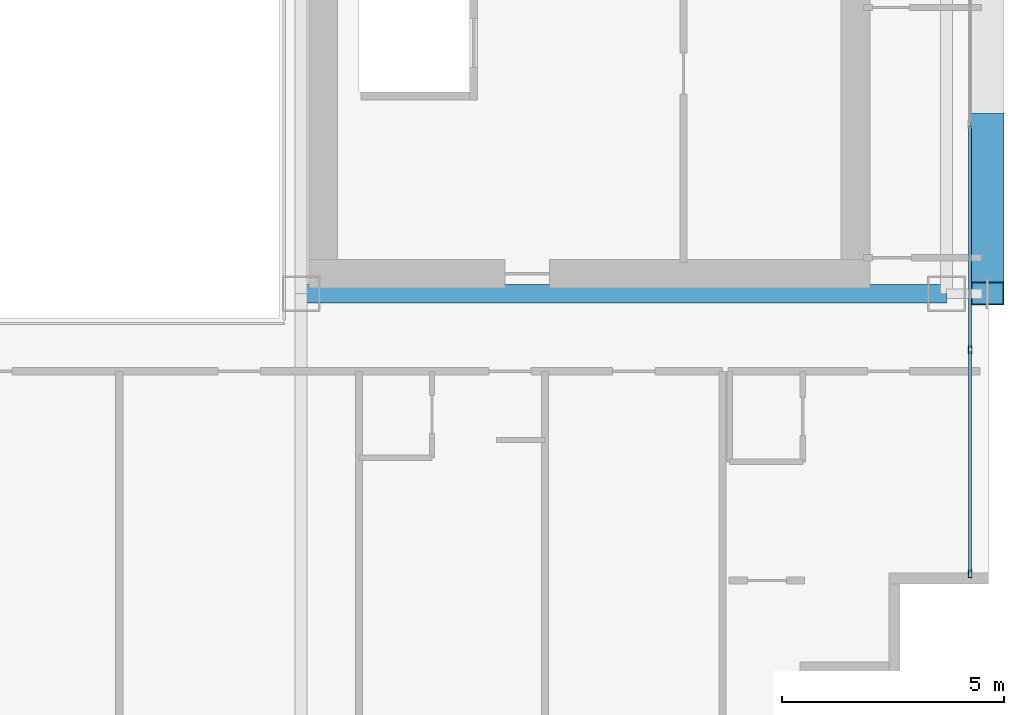
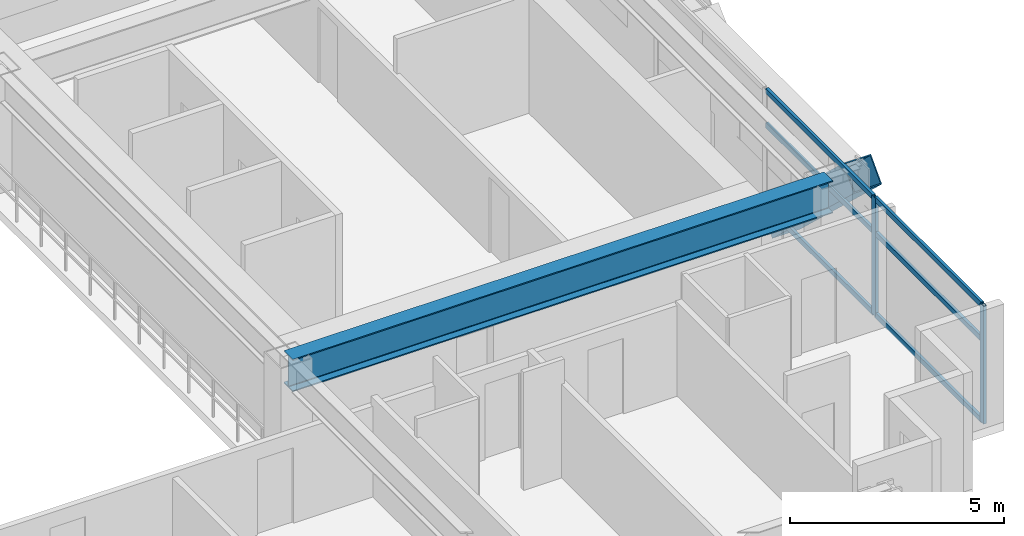
# One storey, part 11 of 35: 9 members, 1 beam, 1 element without a shape of its own.
"""IFC4 building model written with IfcOpenShell, lengths in metres."""

from ifc_helpers import new_model, si_unit, direction, frame, origin, origin_2d, place, context, subcontext, project, spatial, hollow_rectangle, i_section, extrude, source, transform, mapped, material, layer, layer_set, material_profile, profile_set, type_object, element, aggregate, save


model = new_model("IFC4")

# Units and contexts
model_context = context("Model", 3, precision=1e-05, world=origin(), true_north=direction((0.0, 1.0)))
body_context = subcontext(model_context, "Body", "Model", "MODEL_VIEW")
ifc_project = project(units=[si_unit("LENGTHUNIT", "METRE"), si_unit("AREAUNIT", "SQUARE_METRE"), si_unit("VOLUMEUNIT", "CUBIC_METRE"), si_unit("PLANEANGLEUNIT", "RADIAN"), si_unit("MASSUNIT", "GRAM", prefix="KILO")], contexts=[model_context])

# Site, building, storey
site_placement = place(None, origin())
site = spatial("IfcSite", under=ifc_project, at=site_placement, CompositionType="ELEMENT")
building_placement = place(site_placement, origin())
building = spatial("IfcBuilding", under=site, at=building_placement, Name="Ocotamira Hotel", CompositionType="ELEMENT")
storey_placement = place(building_placement, frame((0.0, 0.0, 122.39990234375)))
storey = spatial("IfcBuildingStorey", under=building, at=storey_placement, Name="L30", CompositionType="ELEMENT", Elevation=122.39990234375)

# Beam
ifc_material_1 = material(Name="Steel ASTM A992 Grade 50", Category="steel")
ifc_material_profile_1 = material_profile(ifc_material_1, i_section(OverallWidth=0.41796875, OverallDepth=0.927001953125, WebThickness=0.019287109375, FlangeThickness=0.031982421875, FilletRadius=0.02392578125, at=origin_2d()), Name="W36X231")
ifc_profile_set_1 = profile_set([ifc_material_profile_1], Name="Steel ASTM A992 Grade 50")
beam_type = type_object("IfcBeamType", Name="BM-GIRD-W36X231", PredefinedType="BEAM", material=ifc_profile_set_1)
shared_shape_1 = source(origin(), body_context, "Body", "SweptSolid", [
    extrude(i_section(OverallWidth=0.41796875, OverallDepth=0.927001953125, WebThickness=0.019287109375, FlangeThickness=0.031982421875, FilletRadius=0.02392578125, at=origin_2d()), origin(), (0.0, 0.0, 1.0), 14.550048828125),
])
beam_placement = place(storey_placement, frame((40.5, 14.550048828125, 2.896484375), z_axis=(1.0, 0.0, 0.0), x_axis=(0.0, 1.0, 0.0)))
element("IfcBeam", 1, at=beam_placement, inside=storey, type_object=beam_type, Name="L30 Girder Y14.55 X40.5-55.05", PredefinedType="BEAM", context=body_context, shape_type="MappedRepresentation", body=[
    mapped(shared_shape_1, transform((0.0, 0.0, 0.0), scale=1.0)),
])

# Member
ifc_material_2 = material(Name="Pale-metal coated steel ASTM A913 Grade 65", Category="steel")
ifc_material_profile_2 = material_profile(ifc_material_2, hollow_rectangle(XDim=0.75, YDim=0.75, WallThickness=0.028076171875, at=origin_2d()), Name="BOX750X750X28")
ifc_profile_set_2 = profile_set([ifc_material_profile_2], Name="Pale-metal coated steel ASTM A913 Grade 65")
member_type_1 = type_object("IfcMemberType", Name="MEM-EXO-BOX750", PredefinedType="BRACE", material=ifc_profile_set_2)
shared_shape_2 = source(origin(), body_context, "Body", "SweptSolid", [
    extrude(hollow_rectangle(XDim=0.75, YDim=0.75, WallThickness=0.028076171875, at=origin_2d()), origin(), (0.0, 0.0, 1.0), 5.24658203125),
])
member_1_placement = place(storey_placement, frame((55.969970703125, 18.36669921875, -0.489990234375), z_axis=(0.0, -0.727442733726, 0.686168397078), x_axis=(1.0, 0.0, 0.0)))
element("IfcMember", 2, at=member_1_placement, inside=storey, type_object=member_type_1, Name="L30 Exoskeleton Diagrid E0.1", PredefinedType="BRACE", context=body_context, shape_type="MappedRepresentation", body=[
    mapped(shared_shape_2, transform((0.0, 0.0, 0.0), scale=1.0)),
])

# Curtain wall, members
ifc_material_3 = material(Name="Anodised pale-metal aluminium and solar glass", Category="aluminium")
ifc_layer = layer(ifc_material_3, 0.179931640625)
ifc_layer_set = layer_set([ifc_layer], Name="Anodised pale-metal aluminium and solar glass")
curtain_wall_type = type_object("IfcCurtainWallType", Name="CW-SYS3-Z2", PredefinedType="NOTDEFINED", material=ifc_layer_set)
curtain_wall_placement = place(storey_placement, origin())
curtain_wall = element("IfcCurtainWall", 3, at=curtain_wall_placement, inside=storey, type_object=curtain_wall_type, Name="L30 Curtain Wall CW-3 CW-L30-E", PredefinedType="NOTDEFINED")
ifc_material_4 = material(Name="Anodised pale-metal aluminium 6063-T6", Category="aluminium")
ifc_material_profile_3 = material_profile(ifc_material_4, hollow_rectangle(XDim=0.074951171875, YDim=0.14990234375, WallThickness=0.006103515625, at=origin_2d()), Name="HSS150X75X6")
ifc_profile_set_3 = profile_set([ifc_material_profile_3], Name="Anodised pale-metal aluminium 6063-T6")
member_type_2 = type_object("IfcMemberType", Name="CWT-150X75", PredefinedType="USERDEFINED", material=ifc_profile_set_3)
shared_shape_3 = source(origin(), body_context, "Body", "SweptSolid", [
    extrude(hollow_rectangle(XDim=0.074951171875, YDim=0.14990234375, WallThickness=0.006103515625, at=origin_2d()), origin(), (0.0, 0.0, 1.0), 4.965576171875),
])
member_2_placement = place(storey_placement, frame((55.580078125, 8.280029296875, 0.03759765625), z_axis=(0.0, 1.0, 0.0), x_axis=(-1.0, 0.0, 0.0)))
member_2 = element("IfcMember", 4, at=member_2_placement, type_object=member_type_2, Name="CW-3 transom 1.1", ObjectType="TRANSOM", PredefinedType="USERDEFINED", context=body_context, shape_type="MappedRepresentation", body=[
    mapped(shared_shape_3, transform((0.0, 0.0, 0.0), scale=1.0)),
])
member_3_placement = place(storey_placement, frame((55.580078125, 8.280029296875, 2.35009765625), z_axis=(0.0, 1.0, 0.0), x_axis=(-1.0, 0.0, 0.0)))
member_3 = element("IfcMember", 5, at=member_3_placement, type_object=member_type_2, Name="CW-3 transom 1.2", ObjectType="TRANSOM", PredefinedType="USERDEFINED", context=body_context, shape_type="MappedRepresentation", body=[
    mapped(shared_shape_3, transform((0.0, 0.0, 0.0), scale=1.0)),
])
member_4_placement = place(storey_placement, frame((55.580078125, 8.280029296875, 3.322509765625), z_axis=(0.0, 1.0, 0.0), x_axis=(-1.0, 0.0, 0.0)))
member_4 = element("IfcMember", 6, at=member_4_placement, type_object=member_type_2, Name="CW-3 transom 1.3", ObjectType="TRANSOM", PredefinedType="USERDEFINED", context=body_context, shape_type="MappedRepresentation", body=[
    mapped(shared_shape_3, transform((0.0, 0.0, 0.0), scale=1.0)),
])
shared_shape_4 = source(origin(), body_context, "Body", "SweptSolid", [
    extrude(hollow_rectangle(XDim=0.074951171875, YDim=0.14990234375, WallThickness=0.006103515625, at=origin_2d()), origin(), (0.0, 0.0, 1.0), 5.005859375),
])
member_5_placement = place(storey_placement, frame((55.580078125, 13.32568359375, 0.03759765625), z_axis=(0.0, 1.0, 0.0), x_axis=(-1.0, 0.0, 0.0)))
member_5 = element("IfcMember", 7, at=member_5_placement, type_object=member_type_2, Name="CW-3 transom 2.1", ObjectType="TRANSOM", PredefinedType="USERDEFINED", context=body_context, shape_type="MappedRepresentation", body=[
    mapped(shared_shape_4, transform((0.0, 0.0, 0.0), scale=1.0)),
])
member_6_placement = place(storey_placement, frame((55.580078125, 13.32568359375, 2.35009765625), z_axis=(0.0, 1.0, 0.0), x_axis=(-1.0, 0.0, 0.0)))
member_6 = element("IfcMember", 8, at=member_6_placement, type_object=member_type_2, Name="CW-3 transom 2.2", ObjectType="TRANSOM", PredefinedType="USERDEFINED", context=body_context, shape_type="MappedRepresentation", body=[
    mapped(shared_shape_4, transform((0.0, 0.0, 0.0), scale=1.0)),
])
member_7_placement = place(storey_placement, frame((55.580078125, 13.32568359375, 3.322509765625), z_axis=(0.0, 1.0, 0.0), x_axis=(-1.0, 0.0, 0.0)))
member_7 = element("IfcMember", 9, at=member_7_placement, type_object=member_type_2, Name="CW-3 transom 2.3", ObjectType="TRANSOM", PredefinedType="USERDEFINED", context=body_context, shape_type="MappedRepresentation", body=[
    mapped(shared_shape_4, transform((0.0, 0.0, 0.0), scale=1.0)),
])
ifc_material_profile_4 = material_profile(ifc_material_4, hollow_rectangle(XDim=0.080078125, YDim=0.179931640625, WallThickness=0.006103515625, at=origin_2d()), Name="HSS180X80X6")
ifc_profile_set_4 = profile_set([ifc_material_profile_4], Name="Anodised pale-metal aluminium 6063-T6")
member_type_3 = type_object("IfcMemberType", Name="CWM-180X75", PredefinedType="MULLION", material=ifc_profile_set_4)
shared_shape_5 = source(origin(), body_context, "Body", "SweptSolid", [
    extrude(hollow_rectangle(XDim=0.080078125, YDim=0.179931640625, WallThickness=0.006103515625, at=origin_2d()), origin(), (0.0, 0.0, 1.0), 3.360107421875),
])
member_8_placement = place(storey_placement, frame((55.580078125, 8.239990234375, 0.0), z_axis=(0.0, 0.0, 1.0), x_axis=(-1.0, 0.0, 0.0)))
member_8 = element("IfcMember", 10, at=member_8_placement, type_object=member_type_3, Name="CW-3 mullion 1", PredefinedType="MULLION", context=body_context, shape_type="MappedRepresentation", body=[
    mapped(shared_shape_5, transform((0.0, 0.0, 0.0), scale=1.0)),
])
member_9_placement = place(storey_placement, frame((55.580078125, 13.28564453125, 0.0), z_axis=(0.0, 0.0, 1.0), x_axis=(-1.0, 0.0, 0.0)))
member_9 = element("IfcMember", 11, at=member_9_placement, type_object=member_type_3, Name="CW-3 mullion 2", PredefinedType="MULLION", context=body_context, shape_type="MappedRepresentation", body=[
    mapped(shared_shape_5, transform((0.0, 0.0, 0.0), scale=1.0)),
])
aggregate(curtain_wall, [member_8, member_9, member_2, member_3, member_4, member_5, member_6, member_7])

save(model, "model.ifc")
